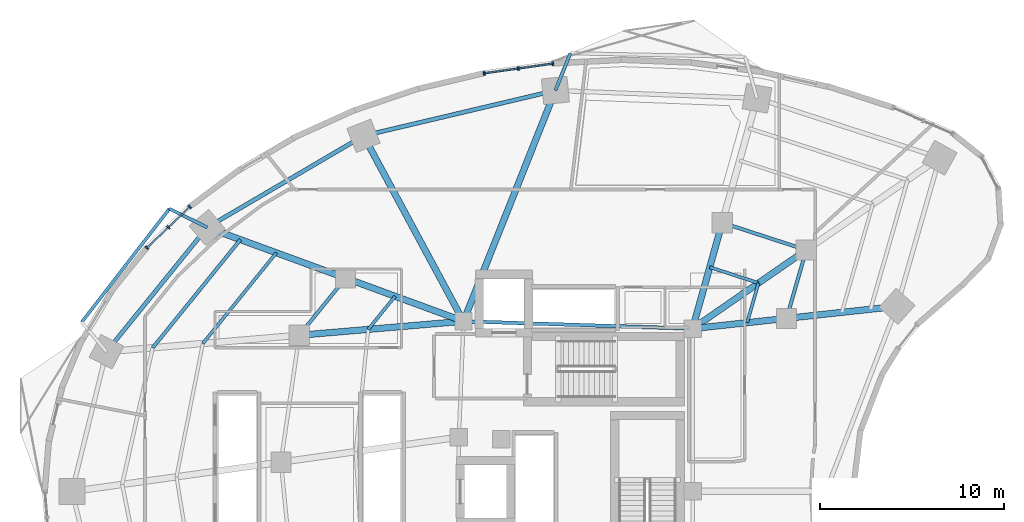
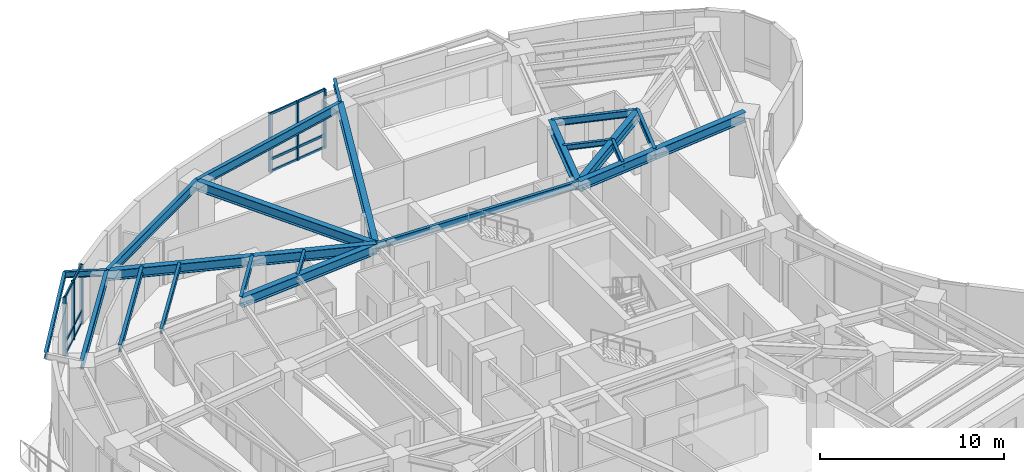
# One storey, part 5 of 15: 24 beams, 18 members, 2 elements without a shape of their own.
"""IFC4 building model written with IfcOpenShell, lengths in metres."""

from ifc_helpers import new_model, si_unit, direction, frame, origin, origin_2d, place, context, subcontext, project, spatial, rectangle, i_section, extrude, material, layer, layer_set, material_profile, profile_set, type_object, element, aggregate, save


model = new_model("IFC4")

# Units and contexts
model_context = context("Model", 3, precision=1e-05, world=origin(), true_north=direction((0.0, 1.0)))
body_context = subcontext(model_context, "Body", "Model", "MODEL_VIEW")
ifc_project = project(units=[si_unit("LENGTHUNIT", "METRE"), si_unit("AREAUNIT", "SQUARE_METRE"), si_unit("VOLUMEUNIT", "CUBIC_METRE"), si_unit("PLANEANGLEUNIT", "RADIAN"), si_unit("MASSUNIT", "GRAM", prefix="KILO")], contexts=[model_context])

# Site, building, storey
site_placement = place(None, origin())
site = spatial("IfcSite", under=ifc_project, at=site_placement, CompositionType="ELEMENT")
building_placement = place(site_placement, origin())
building = spatial("IfcBuilding", under=site, at=building_placement, Name="Korentha Bioscience Tower", CompositionType="ELEMENT")
storey_placement = place(building_placement, frame((0.0, 0.0, 76.199951171875)))
storey = spatial("IfcBuildingStorey", under=building, at=storey_placement, Name="L17", CompositionType="ELEMENT", Elevation=76.199951171875)

# Beams
ifc_material_1 = material(Name="Steel S355", Category="steel")
ifc_material_profile_1 = material_profile(ifc_material_1, i_section(OverallWidth=0.18994140625, OverallDepth=0.45703125, WebThickness=0.009033203125, FlangeThickness=0.014404296875, at=origin_2d()), Name="Steel S355")
ifc_profile_set_1 = profile_set([ifc_material_profile_1], Name="Steel S355 (MB-460)")
beam_type_1 = type_object("IfcBeamType", Name="Mid-Ring Tie Girder W460x74", PredefinedType="BEAM", material=ifc_profile_set_1)
beam_1_placement = place(storey_placement, frame((43.7265625, 40.121337890625, 3.671630859375), z_axis=(-0.950877001105, 0.309568940253, 0.0), x_axis=(-0.309568940253, -0.950877001105, 0.0)))
element("IfcBeam", 1, at=beam_1_placement, inside=storey, type_object=beam_type_1, Name="L17 Mid-Ring Tie Girder 01", PredefinedType="BEAM", context=body_context, shape_type="SweptSolid", body=[
    extrude(i_section(OverallWidth=0.18994140625, OverallDepth=0.45703125, WebThickness=0.009033203125, FlangeThickness=0.014404296875, at=origin_2d()), origin(), (0.0, 0.0, 1.0), 4.80126953125),
])
beam_2_placement = place(storey_placement, frame((18.692138671875, 38.5947265625, 3.671630859375), z_axis=(-0.629790009744, -0.776765436684, 0.0), x_axis=(0.776765436684, -0.629790009744, 0.0)))
element("IfcBeam", 2, at=beam_2_placement, inside=storey, type_object=beam_type_1, Name="L17 Mid-Ring Tie Girder 05", PredefinedType="BEAM", context=body_context, shape_type="SweptSolid", body=[
    extrude(i_section(OverallWidth=0.18994140625, OverallDepth=0.45703125, WebThickness=0.009033203125, FlangeThickness=0.014404296875, at=origin_2d()), origin(), (0.0, 0.0, 1.0), 3.998291015625),
])
beam_3_placement = place(storey_placement, frame((42.66162109375, 36.406982421875, 3.671630859375), z_axis=(0.27560557792, 0.961270807535, 0.0), x_axis=(-0.961270807535, 0.27560557792, 0.0)))
element("IfcBeam", 3, at=beam_3_placement, inside=storey, type_object=beam_type_1, Name="L17 Mid-Ring Tie Girder 16", PredefinedType="BEAM", context=body_context, shape_type="SweptSolid", body=[
    extrude(i_section(OverallWidth=0.18994140625, OverallDepth=0.45703125, WebThickness=0.009033203125, FlangeThickness=0.014404296875, at=origin_2d()), origin(), (0.0, 0.0, 1.0), 3.864013671875),
])
beam_4_placement = place(storey_placement, frame((37.550048828125, 35.85009765625, 3.671630859375), z_axis=(-0.999484526071, 0.032104238723, 0.0), x_axis=(-0.032104238723, -0.999484526071, 0.0)))
element("IfcBeam", 4, at=beam_4_placement, inside=storey, type_object=beam_type_1, Name="L17 Core Ring Tie Girder 01", PredefinedType="BEAM", context=body_context, shape_type="SweptSolid", body=[
    extrude(i_section(OverallWidth=0.18994140625, OverallDepth=0.45703125, WebThickness=0.009033203125, FlangeThickness=0.014404296875, at=origin_2d()), origin(), (0.0, 0.0, 1.0), 12.456298828125),
])

# Curtain wall, members
ifc_material_2 = material(Name="Thermally Broken Aluminium Frame", Category="aluminium")
ifc_layer = layer(ifc_material_2, 0.219970703125, Name="Thermally Broken Aluminium Frame")
ifc_layer_set = layer_set([ifc_layer], Name="Thermally Broken Aluminium Frame (CW-T1)")
curtain_wall_type = type_object("IfcCurtainWallType", Name="Standard Bioscience Lab Unitised Curtain Wall CW-T1", PredefinedType="USERDEFINED", material=ifc_layer_set)
curtain_wall_1_placement = place(storey_placement, origin())
curtain_wall_1 = element("IfcCurtainWall", 5, at=curtain_wall_1_placement, inside=storey, type_object=curtain_wall_type, Name="L17 Curtain Wall 07", ObjectType="UNITISED", PredefinedType="USERDEFINED")
ifc_material_3 = material(Name="Anodised Aluminium 6063-T6", Category="aluminium")
ifc_material_profile_2 = material_profile(ifc_material_3, rectangle(XDim=0.090087890625, YDim=0.199951171875, at=origin_2d()), Name="Anodised Aluminium 6063-T6")
ifc_profile_set_2 = profile_set([ifc_material_profile_2], Name="Anodised Aluminium 6063-T6 (CW-MUL)")
member_type_1 = type_object("IfcMemberType", Name="Mullion RECT 90x200", PredefinedType="MULLION", material=ifc_profile_set_2)
member_1_placement = place(storey_placement, frame((29.95849609375, 50.247802734375, 0.0), z_axis=(0.0, 0.0, 1.0), x_axis=(-0.990167372968, -0.139887717511, 0.0)))
member_1 = element("IfcMember", 6, at=member_1_placement, type_object=member_type_1, Name="CW-L17-07 Mullion 1", PredefinedType="MULLION", context=body_context, shape_type="SweptSolid", body=[
    extrude(rectangle(XDim=0.090087890625, YDim=0.199951171875, at=origin_2d()), origin(), (0.0, 0.0, 1.0), 3.900146484375),
])
member_2_placement = place(storey_placement, frame((28.086669921875, 49.9833984375, 0.0), z_axis=(0.0, 0.0, 1.0), x_axis=(-0.990167372968, -0.139887717511, 0.0)))
member_2 = element("IfcMember", 7, at=member_2_placement, type_object=member_type_1, Name="CW-L17-07 Mullion 2", PredefinedType="MULLION", context=body_context, shape_type="SweptSolid", body=[
    extrude(rectangle(XDim=0.090087890625, YDim=0.199951171875, at=origin_2d()), origin(), (0.0, 0.0, 1.0), 3.900146484375),
])
member_3_placement = place(storey_placement, frame((26.214599609375, 49.718994140625, 0.0), z_axis=(0.0, 0.0, 1.0), x_axis=(-0.990167372968, -0.139887717511, 0.0)))
member_3 = element("IfcMember", 8, at=member_3_placement, type_object=member_type_1, Name="CW-L17-07 Mullion 3", PredefinedType="MULLION", context=body_context, shape_type="SweptSolid", body=[
    extrude(rectangle(XDim=0.090087890625, YDim=0.199951171875, at=origin_2d()), origin(), (0.0, 0.0, 1.0), 3.900146484375),
])

curtain_wall_2_placement = place(storey_placement, origin())
curtain_wall_2 = element("IfcCurtainWall", 9, at=curtain_wall_2_placement, inside=storey, type_object=curtain_wall_type, Name="L17 Curtain Wall 13", ObjectType="UNITISED", PredefinedType="USERDEFINED")
member_4_placement = place(storey_placement, frame((10.228759765625, 42.467041015625, 0.0), z_axis=(0.0, 0.0, 1.0), x_axis=(-0.723641761581, -0.690175775361, 0.0)))
member_4 = element("IfcMember", 10, at=member_4_placement, type_object=member_type_1, Name="CW-L17-13 Mullion 1", PredefinedType="MULLION", context=body_context, shape_type="SweptSolid", body=[
    extrude(rectangle(XDim=0.090087890625, YDim=0.199951171875, at=origin_2d()), origin(), (0.0, 0.0, 1.0), 3.900146484375),
])
member_5_placement = place(storey_placement, frame((9.05908203125, 41.3515625, 0.0), z_axis=(0.0, 0.0, 1.0), x_axis=(-0.723641761581, -0.690175775361, 0.0)))
member_5 = element("IfcMember", 11, at=member_5_placement, type_object=member_type_1, Name="CW-L17-13 Mullion 2", PredefinedType="MULLION", context=body_context, shape_type="SweptSolid", body=[
    extrude(rectangle(XDim=0.090087890625, YDim=0.199951171875, at=origin_2d()), origin(), (0.0, 0.0, 1.0), 3.900146484375),
])
member_6_placement = place(storey_placement, frame((7.889404296875, 40.236083984375, 0.0), z_axis=(0.0, 0.0, 1.0), x_axis=(-0.723641761581, -0.690175775361, 0.0)))
member_6 = element("IfcMember", 12, at=member_6_placement, type_object=member_type_1, Name="CW-L17-13 Mullion 3", PredefinedType="MULLION", context=body_context, shape_type="SweptSolid", body=[
    extrude(rectangle(XDim=0.090087890625, YDim=0.199951171875, at=origin_2d()), origin(), (0.0, 0.0, 1.0), 3.900146484375),
])

# Beams
ifc_material_profile_3 = material_profile(ifc_material_1, i_section(OverallWidth=0.22802734375, OverallDepth=0.60791015625, WebThickness=0.01123046875, FlangeThickness=0.017333984375, at=origin_2d()), Name="Steel S355")
ifc_profile_set_3 = profile_set([ifc_material_profile_3], Name="Steel S355 (SB-610)")
beam_type_2 = type_object("IfcBeamType", Name="Perimeter Ring Spandrel Girder W610x113", PredefinedType="SPANDREL", material=ifc_profile_set_3)
beam_5_placement = place(storey_placement, frame((30.09423828125, 48.79248046875, 3.595947265625), z_axis=(-0.973207885376, -0.229926970672, 0.0), x_axis=(0.229926970672, -0.973207885376, 0.0)))
element("IfcBeam", 13, at=beam_5_placement, inside=storey, type_object=beam_type_2, Name="L17 Perimeter Spandrel Girder 03", PredefinedType="SPANDREL", context=body_context, shape_type="SweptSolid", body=[
    extrude(i_section(OverallWidth=0.22802734375, OverallDepth=0.60791015625, WebThickness=0.01123046875, FlangeThickness=0.017333984375, at=origin_2d()), origin(), (0.0, 0.0, 1.0), 10.71484375),
])
beam_6_placement = place(storey_placement, frame((19.66650390625, 46.328857421875, 3.595947265625), z_axis=(-0.862656574181, -0.505790109653, 0.0), x_axis=(0.505790109653, -0.862656574181, 0.0)))
element("IfcBeam", 14, at=beam_6_placement, inside=storey, type_object=beam_type_2, Name="L17 Perimeter Spandrel Girder 04", PredefinedType="SPANDREL", context=body_context, shape_type="SweptSolid", body=[
    extrude(i_section(OverallWidth=0.22802734375, OverallDepth=0.60791015625, WebThickness=0.01123046875, FlangeThickness=0.017333984375, at=origin_2d()), origin(), (0.0, 0.0, 1.0), 9.849365234375),
])
beam_7_placement = place(storey_placement, frame((11.169921875, 41.34716796875, 3.595947265625), z_axis=(-0.629799210231, -0.776757976974, 0.0), x_axis=(0.776757976974, -0.629799210231, 0.0)))
element("IfcBeam", 15, at=beam_7_placement, inside=storey, type_object=beam_type_2, Name="L17 Perimeter Spandrel Girder 05", PredefinedType="SPANDREL", context=body_context, shape_type="SweptSolid", body=[
    extrude(i_section(OverallWidth=0.22802734375, OverallDepth=0.60791015625, WebThickness=0.01123046875, FlangeThickness=0.017333984375, at=origin_2d()), origin(), (0.0, 0.0, 1.0), 8.69189453125),
])
ifc_material_profile_4 = material_profile(ifc_material_1, i_section(OverallWidth=0.18994140625, OverallDepth=0.45703125, WebThickness=0.009033203125, FlangeThickness=0.014404296875, at=origin_2d()), Name="Steel S355")
ifc_profile_set_4 = profile_set([ifc_material_profile_4], Name="Steel S355 (RB-460)")
beam_type_3 = type_object("IfcBeamType", Name="Radial Laboratory Beam W460x74", PredefinedType="BEAM", material=ifc_profile_set_4)
beam_8_placement = place(storey_placement, frame((12.97509765625, 40.6865234375, 3.671630859375), z_axis=(-0.629797748553, -0.776759162107, 0.0), x_axis=(0.776759162107, -0.629797748553, 0.0)))
element("IfcBeam", 16, at=beam_8_placement, inside=storey, type_object=beam_type_3, Name="L17 Secondary Floor Beam JSTO-05", PredefinedType="BEAM", context=body_context, shape_type="SweptSolid", body=[
    extrude(i_section(OverallWidth=0.18994140625, OverallDepth=0.45703125, WebThickness=0.009033203125, FlangeThickness=0.014404296875, at=origin_2d()), origin(), (0.0, 0.0, 1.0), 7.5654296875),
])
ifc_material_profile_5 = material_profile(ifc_material_1, i_section(OverallWidth=0.35009765625, OverallDepth=0.64990234375, WebThickness=0.01611328125, FlangeThickness=0.02490234375, at=origin_2d()), Name="Steel S355")
ifc_profile_set_5 = profile_set([ifc_material_profile_5], Name="Steel S355 (RB-650)")
beam_type_4 = type_object("IfcBeamType", Name="Radial Laboratory Girder CVS 650x208", PredefinedType="BEAM", material=ifc_profile_set_5)
beam_9_placement = place(storey_placement, frame((37.550048828125, 35.85009765625, 3.574951171875), z_axis=(0.822491697625, 0.568777115694, 0.0), x_axis=(-0.568777115694, 0.822491697625, 0.0)))
element("IfcBeam", 17, at=beam_9_placement, inside=storey, type_object=beam_type_4, Name="L17 Inner Radial Girder 01", PredefinedType="BEAM", context=body_context, shape_type="SweptSolid", body=[
    extrude(i_section(OverallWidth=0.35009765625, OverallDepth=0.64990234375, WebThickness=0.01611328125, FlangeThickness=0.02490234375, at=origin_2d()), origin(), (0.0, 0.0, 1.0), 7.509521484375),
])
beam_10_placement = place(storey_placement, frame((37.550048828125, 35.85009765625, 3.574951171875), z_axis=(0.269469369205, 0.963008961049, 0.0), x_axis=(-0.963008961049, 0.269469369205, 0.0)))
element("IfcBeam", 18, at=beam_10_placement, inside=storey, type_object=beam_type_4, Name="L17 Inner Radial Girder 02", PredefinedType="BEAM", context=body_context, shape_type="SweptSolid", body=[
    extrude(i_section(OverallWidth=0.35009765625, OverallDepth=0.64990234375, WebThickness=0.01611328125, FlangeThickness=0.02490234375, at=origin_2d()), origin(), (0.0, 0.0, 1.0), 5.978759765625),
])
beam_11_placement = place(storey_placement, frame((25.10009765625, 36.25, 3.574951171875), z_axis=(0.369931007413, 0.929059228335, 0.0), x_axis=(-0.929059228335, 0.369931007413, 0.0)))
element("IfcBeam", 19, at=beam_11_placement, inside=storey, type_object=beam_type_4, Name="L17 Radial Girder 03", PredefinedType="BEAM", context=body_context, shape_type="SweptSolid", body=[
    extrude(i_section(OverallWidth=0.35009765625, OverallDepth=0.64990234375, WebThickness=0.01611328125, FlangeThickness=0.02490234375, at=origin_2d()), origin(), (0.0, 0.0, 1.0), 13.500244140625),
])
beam_12_placement = place(storey_placement, frame((25.10009765625, 36.25, 3.574951171875), z_axis=(-0.47454097106, 0.880233416081, 0.0), x_axis=(-0.880233416081, -0.47454097106, 0.0)))
element("IfcBeam", 20, at=beam_12_placement, inside=storey, type_object=beam_type_4, Name="L17 Radial Girder 04", PredefinedType="BEAM", context=body_context, shape_type="SweptSolid", body=[
    extrude(i_section(OverallWidth=0.35009765625, OverallDepth=0.64990234375, WebThickness=0.01611328125, FlangeThickness=0.02490234375, at=origin_2d()), origin(), (0.0, 0.0, 1.0), 11.4501953125),
])
beam_13_placement = place(storey_placement, frame((25.10009765625, 36.25, 3.574951171875), z_axis=(-0.939106237741, 0.343626940498, 0.0), x_axis=(-0.343626940498, -0.939106237741, 0.0)))
element("IfcBeam", 21, at=beam_13_placement, inside=storey, type_object=beam_type_4, Name="L17 Inner Radial Girder 05", PredefinedType="BEAM", context=body_context, shape_type="SweptSolid", body=[
    extrude(i_section(OverallWidth=0.35009765625, OverallDepth=0.64990234375, WebThickness=0.01611328125, FlangeThickness=0.02490234375, at=origin_2d()), origin(), (0.0, 0.0, 1.0), 6.823486328125),
])
beam_14_placement = place(storey_placement, frame((18.692138671875, 38.5947265625, 3.574951171875), z_axis=(-0.939106299948, 0.343626770491, 0.0), x_axis=(-0.343626770491, -0.939106299948, 0.0)))
element("IfcBeam", 22, at=beam_14_placement, inside=storey, type_object=beam_type_4, Name="L17 Outer Radial Girder 05", PredefinedType="BEAM", context=body_context, shape_type="SweptSolid", body=[
    extrude(i_section(OverallWidth=0.35009765625, OverallDepth=0.64990234375, WebThickness=0.01611328125, FlangeThickness=0.02490234375, at=origin_2d()), origin(), (0.0, 0.0, 1.0), 8.010009765625),
])
beam_15_placement = place(storey_placement, frame((25.10009765625, 36.25, 3.574951171875), z_axis=(-0.996385503026, -0.08494662654, 0.0), x_axis=(0.08494662654, -0.996385503026, 0.0)))
element("IfcBeam", 23, at=beam_15_placement, inside=storey, type_object=beam_type_4, Name="L17 Inner Radial Girder 06", PredefinedType="BEAM", context=body_context, shape_type="SweptSolid", body=[
    extrude(i_section(OverallWidth=0.35009765625, OverallDepth=0.64990234375, WebThickness=0.01611328125, FlangeThickness=0.02490234375, at=origin_2d()), origin(), (0.0, 0.0, 1.0), 8.95849609375),
])
beam_16_placement = place(storey_placement, frame((37.550048828125, 35.85009765625, 3.574951171875), z_axis=(0.994117709144, 0.10830503389, 0.0), x_axis=(-0.10830503389, 0.994117709144, 0.0)))
element("IfcBeam", 24, at=beam_16_placement, inside=storey, type_object=beam_type_4, Name="L17 Inner Radial Girder 16", PredefinedType="BEAM", context=body_context, shape_type="SweptSolid", body=[
    extrude(i_section(OverallWidth=0.35009765625, OverallDepth=0.64990234375, WebThickness=0.01611328125, FlangeThickness=0.02490234375, at=origin_2d()), origin(), (0.0, 0.0, 1.0), 5.141845703125),
])
beam_17_placement = place(storey_placement, frame((42.66162109375, 36.406982421875, 3.574951171875), z_axis=(0.994115805925, 0.108322501862, 0.0), x_axis=(-0.108322501862, 0.994115805925, 0.0)))
element("IfcBeam", 25, at=beam_17_placement, inside=storey, type_object=beam_type_4, Name="L17 Outer Radial Girder 16", PredefinedType="BEAM", context=body_context, shape_type="SweptSolid", body=[
    extrude(i_section(OverallWidth=0.35009765625, OverallDepth=0.64990234375, WebThickness=0.01611328125, FlangeThickness=0.02490234375, at=origin_2d()), origin(), (0.0, 0.0, 1.0), 6.03564453125),
])
ifc_material_profile_6 = material_profile(ifc_material_1, i_section(OverallWidth=0.1708984375, OverallDepth=0.35498046875, WebThickness=0.007080078125, FlangeThickness=0.01171875, at=origin_2d()), Name="Steel S355")
ifc_profile_set_6 = profile_set([ifc_material_profile_6], Name="Steel S355 (JB-360)")
beam_type_5 = type_object("IfcBeamType", Name="Secondary Laboratory Joist W360x51", PredefinedType="JOIST", material=ifc_profile_set_6)
beam_18_placement = place(storey_placement, frame((41.13232421875, 38.327392578125, 3.72265625), z_axis=(-0.950869630746, 0.309591578254, 0.0), x_axis=(-0.309591578254, -0.950869630746, 0.0)))
element("IfcBeam", 26, at=beam_18_placement, inside=storey, type_object=beam_type_5, Name="L17 Inner Bay Joist 01", PredefinedType="JOIST", context=body_context, shape_type="SweptSolid", body=[
    extrude(i_section(OverallWidth=0.1708984375, OverallDepth=0.35498046875, WebThickness=0.007080078125, FlangeThickness=0.01171875, at=origin_2d()), origin(), (0.0, 0.0, 1.0), 2.784423828125),
])
beam_19_placement = place(storey_placement, frame((14.930908203125, 39.970947265625, 3.72265625), z_axis=(-0.629786899984, -0.776767958021, 0.0), x_axis=(0.776767958021, -0.629786899984, 0.0)))
element("IfcBeam", 27, at=beam_19_placement, inside=storey, type_object=beam_type_5, Name="L17 Secondary Floor Beam JST-05", PredefinedType="JOIST", context=body_context, shape_type="SweptSolid", body=[
    extrude(i_section(OverallWidth=0.1708984375, OverallDepth=0.35498046875, WebThickness=0.007080078125, FlangeThickness=0.01171875, at=origin_2d()), origin(), (0.0, 0.0, 1.0), 6.34521484375),
])
beam_20_placement = place(storey_placement, frame((21.38330078125, 37.60986328125, 3.72265625), z_axis=(-0.629791657613, -0.776764100613, 0.0), x_axis=(0.776764100613, -0.629791657613, 0.0)))
element("IfcBeam", 28, at=beam_20_placement, inside=storey, type_object=beam_type_5, Name="L17 Inner Bay Joist 05", PredefinedType="JOIST", context=body_context, shape_type="SweptSolid", body=[
    extrude(i_section(OverallWidth=0.1708984375, OverallDepth=0.35498046875, WebThickness=0.007080078125, FlangeThickness=0.01171875, at=origin_2d()), origin(), (0.0, 0.0, 1.0), 2.31884765625),
])
beam_21_placement = place(storey_placement, frame((40.5146484375, 36.173095703125, 3.72265625), z_axis=(0.275613067773, 0.961268660091, 0.0), x_axis=(-0.961268660091, 0.275613067773, 0.0)))
element("IfcBeam", 29, at=beam_21_placement, inside=storey, type_object=beam_type_5, Name="L17 Inner Bay Joist 16", PredefinedType="JOIST", context=body_context, shape_type="SweptSolid", body=[
    extrude(i_section(OverallWidth=0.1708984375, OverallDepth=0.35498046875, WebThickness=0.007080078125, FlangeThickness=0.01171875, at=origin_2d()), origin(), (0.0, 0.0, 1.0), 2.2412109375),
])
ifc_material_profile_7 = material_profile(ifc_material_1, i_section(OverallWidth=0.177978515625, OverallDepth=0.406982421875, WebThickness=0.0078125, FlangeThickness=0.0126953125, at=origin_2d()), Name="Steel S355")
ifc_profile_set_7 = profile_set([ifc_material_profile_7], Name="Steel S355 (CB-410)")
beam_type_6 = type_object("IfcBeamType", Name="Sun-Ledge Cantilever Beam W410x60", PredefinedType="BEAM", material=ifc_profile_set_7)
beam_22_placement = place(storey_placement, frame((30.09423828125, 48.79248046875, 3.698486328125), z_axis=(0.372971735808, 0.927842704497, 0.0), x_axis=(-0.927842704497, 0.372971735808, 0.0)))
element("IfcBeam", 30, at=beam_22_placement, inside=storey, type_object=beam_type_6, Name="L17 Balcony Cantilever Bracket B-L18-01", PredefinedType="BEAM", context=body_context, shape_type="SweptSolid", body=[
    extrude(i_section(OverallWidth=0.177978515625, OverallDepth=0.406982421875, WebThickness=0.0078125, FlangeThickness=0.0126953125, at=origin_2d()), origin(), (0.0, 0.0, 1.0), 2.182373046875),
])
beam_23_placement = place(storey_placement, frame((11.169921875, 41.34716796875, 3.698486328125), z_axis=(-0.895871917381, 0.444312398711, 0.0), x_axis=(-0.444312398711, -0.895871917381, 0.0)))
element("IfcBeam", 31, at=beam_23_placement, inside=storey, type_object=beam_type_6, Name="L17 Balcony Cantilever Bracket A-L18-02", PredefinedType="BEAM", context=body_context, shape_type="SweptSolid", body=[
    extrude(i_section(OverallWidth=0.177978515625, OverallDepth=0.406982421875, WebThickness=0.0078125, FlangeThickness=0.0126953125, at=origin_2d()), origin(), (0.0, 0.0, 1.0), 2.290771484375),
])
beam_24_placement = place(storey_placement, frame((9.11767578125, 42.364990234375, 3.698486328125), z_axis=(-0.611643786386, -0.791133287491, 0.0), x_axis=(0.791133287491, -0.611643786386, 0.0)))
element("IfcBeam", 32, at=beam_24_placement, inside=storey, type_object=beam_type_6, Name="L17 Balcony Edge Trimmer Beam L18-02", PredefinedType="BEAM", context=body_context, shape_type="SweptSolid", body=[
    extrude(i_section(OverallWidth=0.177978515625, OverallDepth=0.406982421875, WebThickness=0.0078125, FlangeThickness=0.0126953125, at=origin_2d()), origin(), (0.0, 0.0, 1.0), 7.787109375),
])

# Member
ifc_material_profile_8 = material_profile(ifc_material_3, rectangle(XDim=0.090087890625, YDim=0.159912109375, at=origin_2d()), Name="Anodised Aluminium 6063-T6")
ifc_profile_set_8 = profile_set([ifc_material_profile_8], Name="Anodised Aluminium 6063-T6 (CW-TRN)")
member_type_2 = type_object("IfcMemberType", Name="Transom RECT 90x160", PredefinedType="USERDEFINED", material=ifc_profile_set_8)
member_7_placement = place(storey_placement, frame((29.913818359375, 50.24169921875, 0.045166015625), z_axis=(-0.990159924061, -0.139940432982, 0.0), x_axis=(0.139940432982, -0.990159924061, 0.0)))
member_7 = element("IfcMember", 33, at=member_7_placement, type_object=member_type_2, Name="CW-L17-07 Bay 1 Transom 1", ObjectType="TRANSOM", PredefinedType="USERDEFINED", context=body_context, shape_type="SweptSolid", body=[
    extrude(rectangle(XDim=0.090087890625, YDim=0.159912109375, at=origin_2d()), origin(), (0.0, 0.0, 1.0), 1.800537109375),
])

member_8_placement = place(storey_placement, frame((29.913818359375, 50.24169921875, 0.85009765625), z_axis=(-0.990159924061, -0.139940432982, 0.0), x_axis=(0.139940432982, -0.990159924061, 0.0)))
member_8 = element("IfcMember", 34, at=member_8_placement, type_object=member_type_2, Name="CW-L17-07 Bay 1 Transom 2", ObjectType="TRANSOM", PredefinedType="USERDEFINED", context=body_context, shape_type="SweptSolid", body=[
    extrude(rectangle(XDim=0.090087890625, YDim=0.159912109375, at=origin_2d()), origin(), (0.0, 0.0, 1.0), 1.800537109375),
])

member_9_placement = place(storey_placement, frame((29.913818359375, 50.24169921875, 3.85498046875), z_axis=(-0.990159924061, -0.139940432982, 0.0), x_axis=(0.139940432982, -0.990159924061, 0.0)))
member_9 = element("IfcMember", 35, at=member_9_placement, type_object=member_type_2, Name="CW-L17-07 Bay 1 Transom 3", ObjectType="TRANSOM", PredefinedType="USERDEFINED", context=body_context, shape_type="SweptSolid", body=[
    extrude(rectangle(XDim=0.090087890625, YDim=0.159912109375, at=origin_2d()), origin(), (0.0, 0.0, 1.0), 1.800537109375),
])

member_10_placement = place(storey_placement, frame((28.0419921875, 49.977294921875, 0.045166015625), z_axis=(-0.990159924061, -0.139940432982, 0.0), x_axis=(0.139940432982, -0.990159924061, 0.0)))
member_10 = element("IfcMember", 36, at=member_10_placement, type_object=member_type_2, Name="CW-L17-07 Bay 2 Transom 1", ObjectType="TRANSOM", PredefinedType="USERDEFINED", context=body_context, shape_type="SweptSolid", body=[
    extrude(rectangle(XDim=0.090087890625, YDim=0.159912109375, at=origin_2d()), origin(), (0.0, 0.0, 1.0), 1.800537109375),
])

member_11_placement = place(storey_placement, frame((28.0419921875, 49.977294921875, 0.85009765625), z_axis=(-0.990159924061, -0.139940432982, 0.0), x_axis=(0.139940432982, -0.990159924061, 0.0)))
member_11 = element("IfcMember", 37, at=member_11_placement, type_object=member_type_2, Name="CW-L17-07 Bay 2 Transom 2", ObjectType="TRANSOM", PredefinedType="USERDEFINED", context=body_context, shape_type="SweptSolid", body=[
    extrude(rectangle(XDim=0.090087890625, YDim=0.159912109375, at=origin_2d()), origin(), (0.0, 0.0, 1.0), 1.800537109375),
])

member_12_placement = place(storey_placement, frame((28.0419921875, 49.977294921875, 3.85498046875), z_axis=(-0.990159924061, -0.139940432982, 0.0), x_axis=(0.139940432982, -0.990159924061, 0.0)))
member_12 = element("IfcMember", 38, at=member_12_placement, type_object=member_type_2, Name="CW-L17-07 Bay 2 Transom 3", ObjectType="TRANSOM", PredefinedType="USERDEFINED", context=body_context, shape_type="SweptSolid", body=[
    extrude(rectangle(XDim=0.090087890625, YDim=0.159912109375, at=origin_2d()), origin(), (0.0, 0.0, 1.0), 1.800537109375),
])

aggregate(curtain_wall_1, [member_1, member_2, member_3, member_7, member_8, member_9, member_10, member_11, member_12])

member_13_placement = place(storey_placement, frame((10.1962890625, 42.43603515625, 0.045166015625), z_axis=(-0.72370039216, -0.690114296612, 0.0), x_axis=(0.690114296612, -0.72370039216, 0.0)))
member_13 = element("IfcMember", 39, at=member_13_placement, type_object=member_type_2, Name="CW-L17-13 Bay 1 Transom 1", ObjectType="TRANSOM", PredefinedType="USERDEFINED", context=body_context, shape_type="SweptSolid", body=[
    extrude(rectangle(XDim=0.090087890625, YDim=0.159912109375, at=origin_2d()), origin(), (0.0, 0.0, 1.0), 1.526611328125),
])

member_14_placement = place(storey_placement, frame((10.1962890625, 42.43603515625, 0.85009765625), z_axis=(-0.72370039216, -0.690114296612, 0.0), x_axis=(0.690114296612, -0.72370039216, 0.0)))
member_14 = element("IfcMember", 40, at=member_14_placement, type_object=member_type_2, Name="CW-L17-13 Bay 1 Transom 2", ObjectType="TRANSOM", PredefinedType="USERDEFINED", context=body_context, shape_type="SweptSolid", body=[
    extrude(rectangle(XDim=0.090087890625, YDim=0.159912109375, at=origin_2d()), origin(), (0.0, 0.0, 1.0), 1.526611328125),
])

member_15_placement = place(storey_placement, frame((10.1962890625, 42.43603515625, 3.85498046875), z_axis=(-0.72370039216, -0.690114296612, 0.0), x_axis=(0.690114296612, -0.72370039216, 0.0)))
member_15 = element("IfcMember", 41, at=member_15_placement, type_object=member_type_2, Name="CW-L17-13 Bay 1 Transom 3", ObjectType="TRANSOM", PredefinedType="USERDEFINED", context=body_context, shape_type="SweptSolid", body=[
    extrude(rectangle(XDim=0.090087890625, YDim=0.159912109375, at=origin_2d()), origin(), (0.0, 0.0, 1.0), 1.526611328125),
])

member_16_placement = place(storey_placement, frame((9.026611328125, 41.320556640625, 0.045166015625), z_axis=(-0.72370039216, -0.690114296612, 0.0), x_axis=(0.690114296612, -0.72370039216, 0.0)))
member_16 = element("IfcMember", 42, at=member_16_placement, type_object=member_type_2, Name="CW-L17-13 Bay 2 Transom 1", ObjectType="TRANSOM", PredefinedType="USERDEFINED", context=body_context, shape_type="SweptSolid", body=[
    extrude(rectangle(XDim=0.090087890625, YDim=0.159912109375, at=origin_2d()), origin(), (0.0, 0.0, 1.0), 1.526611328125),
])

member_17_placement = place(storey_placement, frame((9.026611328125, 41.320556640625, 0.85009765625), z_axis=(-0.72370039216, -0.690114296612, 0.0), x_axis=(0.690114296612, -0.72370039216, 0.0)))
member_17 = element("IfcMember", 43, at=member_17_placement, type_object=member_type_2, Name="CW-L17-13 Bay 2 Transom 2", ObjectType="TRANSOM", PredefinedType="USERDEFINED", context=body_context, shape_type="SweptSolid", body=[
    extrude(rectangle(XDim=0.090087890625, YDim=0.159912109375, at=origin_2d()), origin(), (0.0, 0.0, 1.0), 1.526611328125),
])

member_18_placement = place(storey_placement, frame((9.026611328125, 41.320556640625, 3.85498046875), z_axis=(-0.72370039216, -0.690114296612, 0.0), x_axis=(0.690114296612, -0.72370039216, 0.0)))
member_18 = element("IfcMember", 44, at=member_18_placement, type_object=member_type_2, Name="CW-L17-13 Bay 2 Transom 3", ObjectType="TRANSOM", PredefinedType="USERDEFINED", context=body_context, shape_type="SweptSolid", body=[
    extrude(rectangle(XDim=0.090087890625, YDim=0.159912109375, at=origin_2d()), origin(), (0.0, 0.0, 1.0), 1.526611328125),
])

aggregate(curtain_wall_2, [member_4, member_5, member_6, member_13, member_14, member_15, member_16, member_17, member_18])

save(model, "model.ifc")
